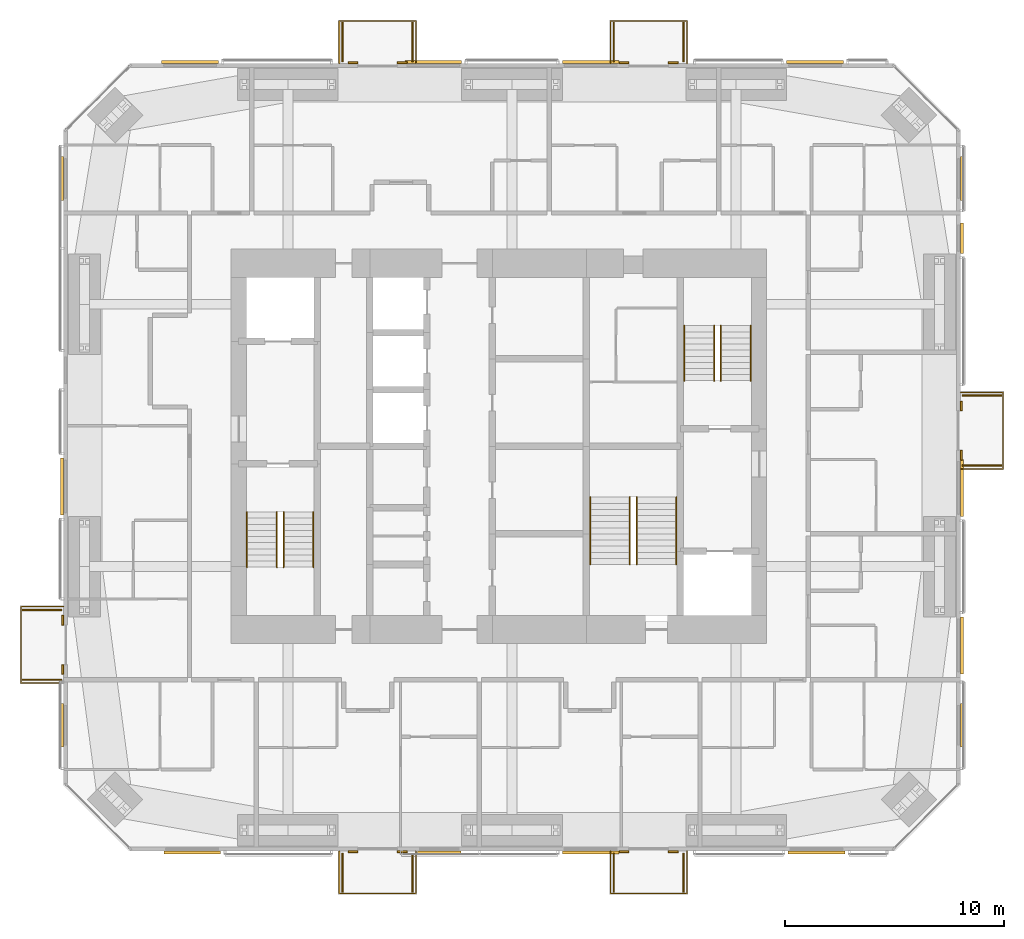
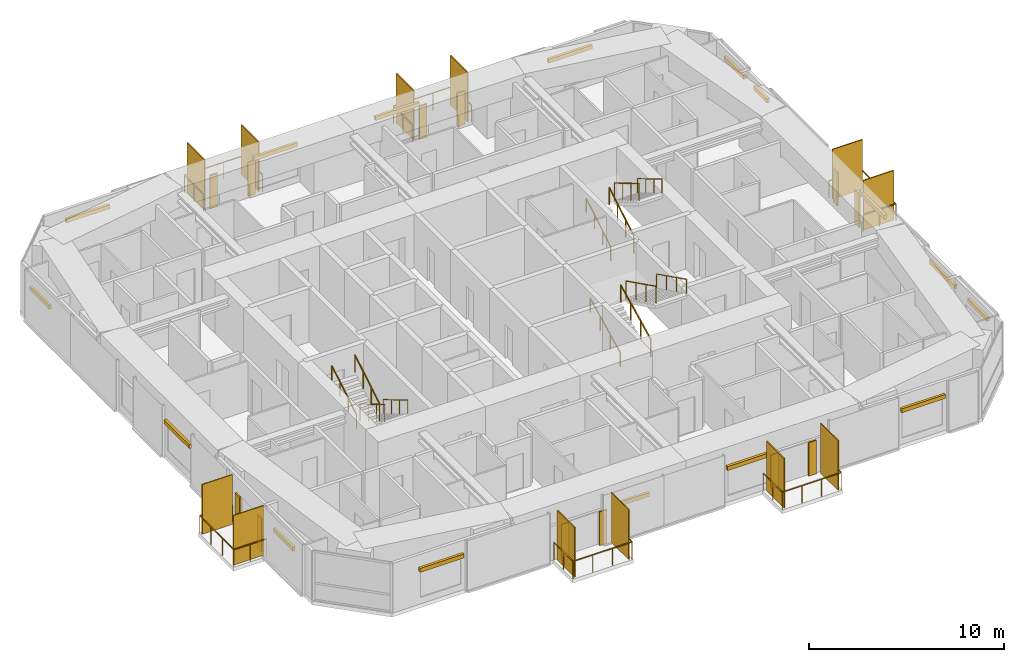
# One storey, part 22 of 22: 40 shading devices, 18 railings.
"""IFC4 building model written with IfcOpenShell, lengths in metres."""

from ifc_helpers import new_model, si_unit, direction, frame, origin, origin_2d, place, context, subcontext, project, spatial, rectangle, circle, extrude, material, layer, layer_set, constituent, constituent_set, type_object, element, save


model = new_model("IFC4")

# Units and contexts
model_context = context("Model", 3, precision=1e-05, world=origin(), true_north=direction((0.0, 1.0)))
body_context = subcontext(model_context, "Body", "Model", "MODEL_VIEW")
ifc_project = project(units=[si_unit("LENGTHUNIT", "METRE"), si_unit("AREAUNIT", "SQUARE_METRE"), si_unit("VOLUMEUNIT", "CUBIC_METRE"), si_unit("PLANEANGLEUNIT", "RADIAN"), si_unit("MASSUNIT", "GRAM", prefix="KILO")], contexts=[model_context])

# Site, building, storey
site_placement = place(None, origin())
site = spatial("IfcSite", under=ifc_project, at=site_placement, CompositionType="ELEMENT")
building_placement = place(site_placement, origin())
building = spatial("IfcBuilding", under=site, at=building_placement, Name="Jalousie Tower", CompositionType="ELEMENT")
storey_placement = place(building_placement, frame((0.0, 0.0, 161.050048828125)))
storey = spatial("IfcBuildingStorey", under=building, at=storey_placement, Name="L43", CompositionType="ELEMENT", Elevation=161.050048828125)

# Shading devices
ifc_material_1 = material(Name="Aluminium impact-rated louvred storm shutter", Category="aluminium")
shading_device_type_1 = type_object("IfcShadingDeviceType", Name="BI-FOLD STORM SHUTTER 900x2100", PredefinedType="SHUTTER", material=ifc_material_1)
for number, where, z_axis, x_axis, name in (
    (1, (25.22509765625, -0.0400390625, 0.0), (0.0, 0.0, 1.0), (1.0, 0.0, 0.0), "Balcony storm shutter L43"),
    (2, (27.47509765625, -0.0400390625, 0.0), (0.0, 0.0, 1.0), (1.0, 0.0, 0.0), "Balcony storm shutter L43"),
    (3, (37.625, -0.0400390625, 0.0), (0.0, 0.0, 1.0), (1.0, 0.0, 0.0), "Balcony storm shutter L43"),
    (4, (39.875, -0.0400390625, 0.0), (0.0, 0.0, 1.0), (1.0, 0.0, 0.0), "Balcony storm shutter L43"),
    (5, (53.0400390625, 18.10009765625, 0.0), (0.0, 0.0, 1.0), (0.0, 1.0, 0.0), "Balcony storm shutter L43"),
    (6, (53.0400390625, 20.35009765625, 0.0), (0.0, 0.0, 1.0), (0.0, 1.0, 0.0), "Balcony storm shutter L43"),
    (7, (39.875, 36.0400390625, 0.0), (0.0, 0.0, 1.0), (-1.0, 0.0, 0.0), "Balcony storm shutter L43"),
    (8, (37.625, 36.0400390625, 0.0), (0.0, 0.0, 1.0), (-1.0, 0.0, 0.0), "Balcony storm shutter L43"),
    (9, (27.47509765625, 36.0400390625, 0.0), (0.0, 0.0, 1.0), (-1.0, 0.0, 0.0), "Balcony storm shutter L43"),
    (10, (25.22509765625, 36.0400390625, 0.0), (0.0, 0.0, 1.0), (-1.0, 0.0, 0.0), "Balcony storm shutter L43"),
    (11, (11.9599609375, 10.550048828125, 0.0), (0.0, 0.0, 1.0), (0.0, -1.0, 0.0), "Balcony storm shutter L43"),
    (12, (11.9599609375, 8.300048828125, 0.0), (0.0, 0.0, 1.0), (0.0, -1.0, 0.0), "Balcony storm shutter L43"),
):
    element("IfcShadingDevice", number, at=place(storey_placement, frame(where, z_axis=z_axis, x_axis=x_axis)), inside=storey, type_object=shading_device_type_1, Name=name, PredefinedType="SHUTTER", context=body_context, shape_type="SweptSolid", body=[
        extrude(rectangle(XDim=0.449951171875, YDim=0.080078125, at=origin_2d()), origin(), (0.0, 0.0, 1.0), 2.10009765625),
    ])

# Railings
ifc_material_2 = material(Name="Powder-coated aluminium fretwork", Category="aluminium")
railing_type_1 = type_object("IfcRailingType", Name="FRETWORK BALUSTRADE 1100", PredefinedType="BALUSTRADE", material=ifc_material_2)
for number, where, name in (
    (13, (24.60009765625, 0.0, 0.0), "Balcony fretwork balustrade L43"),
    (14, (37.0, 0.0, 0.0), "Balcony fretwork balustrade L43"),
):
    element("IfcRailing", number, at=place(storey_placement, frame(where)), inside=storey, type_object=railing_type_1, Name=name, PredefinedType="BALUSTRADE", context=body_context, shape_type="SweptSolid", body=[
        extrude(rectangle(XDim=0.048095703125, YDim=0.048095703125, at=origin_2d()), frame((0.0, 0.0, 1.076171875), z_axis=(0.0, -1.0, 0.0), x_axis=(1.0, 0.0, 0.0)), (0.0, 0.0, 1.0), 1.949951171875),
        extrude(rectangle(XDim=0.048095703125, YDim=0.048095703125, at=origin_2d()), frame((0.0, -1.949951171875, 1.076171875), z_axis=(1.0, 0.0, 0.0), x_axis=(0.0, 1.0, 0.0)), (0.0, 0.0, 1.0), 3.5),
        extrude(rectangle(XDim=0.048095703125, YDim=0.048095703125, at=origin_2d()), frame((3.5, -1.949951171875, 1.076171875), z_axis=(0.0, 1.0, 0.0), x_axis=(-1.0, 0.0, 0.0)), (0.0, 0.0, 1.0), 1.949951171875),
        extrude(circle(Radius=0.02099609375, at=origin_2d()), origin(), (0.0, 0.0, 1.0), 1.052001953125),
        extrude(circle(Radius=0.02099609375, at=origin_2d()), frame((0.0, -0.97509765625, 0.0)), (0.0, 0.0, 1.0), 1.052001953125),
        extrude(circle(Radius=0.02099609375, at=origin_2d()), frame((0.0, -1.949951171875, 0.0)), (0.0, 0.0, 1.0), 1.052001953125),
        extrude(circle(Radius=0.02099609375, at=origin_2d()), frame((1.166748046875, -1.949951171875, 0.0)), (0.0, 0.0, 1.0), 1.052001953125),
        extrude(circle(Radius=0.02099609375, at=origin_2d()), frame((2.333251953125, -1.949951171875, 0.0)), (0.0, 0.0, 1.0), 1.052001953125),
        extrude(circle(Radius=0.02099609375, at=origin_2d()), frame((3.5, -1.949951171875, 0.0)), (0.0, 0.0, 1.0), 1.052001953125),
        extrude(circle(Radius=0.02099609375, at=origin_2d()), frame((3.5, -0.97509765625, 0.0)), (0.0, 0.0, 1.0), 1.052001953125),
        extrude(circle(Radius=0.02099609375, at=origin_2d()), frame((3.5, 0.0, 0.0)), (0.0, 0.0, 1.0), 1.052001953125),
    ])
railing_1_placement = place(storey_placement, frame((53.0, 17.47509765625, 0.0)))
element("IfcRailing", 15, at=railing_1_placement, inside=storey, type_object=railing_type_1, Name="Balcony fretwork balustrade L43", PredefinedType="BALUSTRADE", context=body_context, shape_type="SweptSolid", body=[
    extrude(rectangle(XDim=0.048095703125, YDim=0.048095703125, at=origin_2d()), frame((0.0, 0.0, 1.076171875), z_axis=(1.0, 0.0, 0.0), x_axis=(0.0, 1.0, 0.0)), (0.0, 0.0, 1.0), 1.949951171875),
    extrude(rectangle(XDim=0.048095703125, YDim=0.048095703125, at=origin_2d()), frame((1.949951171875, 0.0, 1.076171875), z_axis=(0.0, 1.0, 0.0), x_axis=(-1.0, 0.0, 0.0)), (0.0, 0.0, 1.0), 3.5),
    extrude(rectangle(XDim=0.048095703125, YDim=0.048095703125, at=origin_2d()), frame((1.949951171875, 3.5, 1.076171875), z_axis=(-1.0, 0.0, 0.0), x_axis=(0.0, -1.0, 0.0)), (0.0, 0.0, 1.0), 1.949951171875),
    extrude(circle(Radius=0.02099609375, at=origin_2d()), origin(), (0.0, 0.0, 1.0), 1.052001953125),
    extrude(circle(Radius=0.02099609375, at=origin_2d()), frame((0.97509765625, 0.0, 0.0)), (0.0, 0.0, 1.0), 1.052001953125),
    extrude(circle(Radius=0.02099609375, at=origin_2d()), frame((1.949951171875, 0.0, 0.0)), (0.0, 0.0, 1.0), 1.052001953125),
    extrude(circle(Radius=0.02099609375, at=origin_2d()), frame((1.949951171875, 1.166748046875, 0.0)), (0.0, 0.0, 1.0), 1.052001953125),
    extrude(circle(Radius=0.02099609375, at=origin_2d()), frame((1.949951171875, 2.333251953125, 0.0)), (0.0, 0.0, 1.0), 1.052001953125),
    extrude(circle(Radius=0.02099609375, at=origin_2d()), frame((1.949951171875, 3.5, 0.0)), (0.0, 0.0, 1.0), 1.052001953125),
    extrude(circle(Radius=0.02099609375, at=origin_2d()), frame((0.97509765625, 3.5, 0.0)), (0.0, 0.0, 1.0), 1.052001953125),
    extrude(circle(Radius=0.02099609375, at=origin_2d()), frame((0.0, 3.5, 0.0)), (0.0, 0.0, 1.0), 1.052001953125),
])
for number, where, name in (
    (16, (40.5, 36.0, 0.0), "Balcony fretwork balustrade L43"),
    (17, (28.10009765625, 36.0, 0.0), "Balcony fretwork balustrade L43"),
):
    element("IfcRailing", number, at=place(storey_placement, frame(where)), inside=storey, type_object=railing_type_1, Name=name, PredefinedType="BALUSTRADE", context=body_context, shape_type="SweptSolid", body=[
        extrude(rectangle(XDim=0.048095703125, YDim=0.048095703125, at=origin_2d()), frame((0.0, 0.0, 1.076171875), z_axis=(0.0, 1.0, 0.0), x_axis=(-1.0, 0.0, 0.0)), (0.0, 0.0, 1.0), 1.949951171875),
        extrude(rectangle(XDim=0.048095703125, YDim=0.048095703125, at=origin_2d()), frame((0.0, 1.949951171875, 1.076171875), z_axis=(-1.0, 0.0, 0.0), x_axis=(0.0, -1.0, 0.0)), (0.0, 0.0, 1.0), 3.5),
        extrude(rectangle(XDim=0.048095703125, YDim=0.048095703125, at=origin_2d()), frame((-3.5, 1.949951171875, 1.076171875), z_axis=(0.0, -1.0, 0.0), x_axis=(1.0, 0.0, 0.0)), (0.0, 0.0, 1.0), 1.949951171875),
        extrude(circle(Radius=0.02099609375, at=origin_2d()), origin(), (0.0, 0.0, 1.0), 1.052001953125),
        extrude(circle(Radius=0.02099609375, at=origin_2d()), frame((0.0, 0.97509765625, 0.0)), (0.0, 0.0, 1.0), 1.052001953125),
        extrude(circle(Radius=0.02099609375, at=origin_2d()), frame((0.0, 1.949951171875, 0.0)), (0.0, 0.0, 1.0), 1.052001953125),
        extrude(circle(Radius=0.02099609375, at=origin_2d()), frame((-1.166748046875, 1.949951171875, 0.0)), (0.0, 0.0, 1.0), 1.052001953125),
        extrude(circle(Radius=0.02099609375, at=origin_2d()), frame((-2.333251953125, 1.949951171875, 0.0)), (0.0, 0.0, 1.0), 1.052001953125),
        extrude(circle(Radius=0.02099609375, at=origin_2d()), frame((-3.5, 1.949951171875, 0.0)), (0.0, 0.0, 1.0), 1.052001953125),
        extrude(circle(Radius=0.02099609375, at=origin_2d()), frame((-3.5, 0.97509765625, 0.0)), (0.0, 0.0, 1.0), 1.052001953125),
        extrude(circle(Radius=0.02099609375, at=origin_2d()), frame((-3.5, 0.0, 0.0)), (0.0, 0.0, 1.0), 1.052001953125),
    ])
railing_2_placement = place(storey_placement, frame((12.0, 11.175048828125, 0.0)))
element("IfcRailing", 18, at=railing_2_placement, inside=storey, type_object=railing_type_1, Name="Balcony fretwork balustrade L43", PredefinedType="BALUSTRADE", context=body_context, shape_type="SweptSolid", body=[
    extrude(rectangle(XDim=0.048095703125, YDim=0.048095703125, at=origin_2d()), frame((0.0, 0.0, 1.076171875), z_axis=(-1.0, 0.0, 0.0), x_axis=(0.0, -1.0, 0.0)), (0.0, 0.0, 1.0), 1.949951171875),
    extrude(rectangle(XDim=0.048095703125, YDim=0.048095703125, at=origin_2d()), frame((-1.949951171875, 0.0, 1.076171875), z_axis=(0.0, -1.0, 0.0), x_axis=(1.0, 0.0, 0.0)), (0.0, 0.0, 1.0), 3.5),
    extrude(rectangle(XDim=0.048095703125, YDim=0.048095703125, at=origin_2d()), frame((-1.949951171875, -3.5, 1.076171875), z_axis=(1.0, 0.0, 0.0), x_axis=(0.0, 1.0, 0.0)), (0.0, 0.0, 1.0), 1.949951171875),
    extrude(circle(Radius=0.02099609375, at=origin_2d()), origin(), (0.0, 0.0, 1.0), 1.052001953125),
    extrude(circle(Radius=0.02099609375, at=origin_2d()), frame((-0.97509765625, 0.0, 0.0)), (0.0, 0.0, 1.0), 1.052001953125),
    extrude(circle(Radius=0.02099609375, at=origin_2d()), frame((-1.949951171875, 0.0, 0.0)), (0.0, 0.0, 1.0), 1.052001953125),
    extrude(circle(Radius=0.02099609375, at=origin_2d()), frame((-1.949951171875, -1.166748046875, 0.0)), (0.0, 0.0, 1.0), 1.052001953125),
    extrude(circle(Radius=0.02099609375, at=origin_2d()), frame((-1.949951171875, -2.333251953125, 0.0)), (0.0, 0.0, 1.0), 1.052001953125),
    extrude(circle(Radius=0.02099609375, at=origin_2d()), frame((-1.949951171875, -3.5, 0.0)), (0.0, 0.0, 1.0), 1.052001953125),
    extrude(circle(Radius=0.02099609375, at=origin_2d()), frame((-0.97509765625, -3.5, 0.0)), (0.0, 0.0, 1.0), 1.052001953125),
    extrude(circle(Radius=0.02099609375, at=origin_2d()), frame((0.0, -3.5, 0.0)), (0.0, 0.0, 1.0), 1.052001953125),
])

# Shading devices
ifc_material_3 = material(Name="Powder-coated aluminium louvres", Category="aluminium")
ifc_layer = layer(ifc_material_3, 0.06005859375)
ifc_layer_set = layer_set([ifc_layer], Name="Powder-coated aluminium louvres")
shading_device_type_2 = type_object("IfcShadingDeviceType", Name="JALOUSIE LOUVRE SCREEN", PredefinedType="JALOUSIE", material=ifc_layer_set)
for number, where, z_axis, x_axis, name in (
    (19, (24.75, -1.0, 0.0), (0.0, 0.0, 1.0), (1.0, 0.0, 0.0), "Jalousie louvre screen L43"),
    (20, (27.949951171875, -1.0, 0.0), (0.0, 0.0, 1.0), (1.0, 0.0, 0.0), "Jalousie louvre screen L43"),
    (21, (37.14990234375, -1.0, 0.0), (0.0, 0.0, 1.0), (1.0, 0.0, 0.0), "Jalousie louvre screen L43"),
    (22, (40.35009765625, -1.0, 0.0), (0.0, 0.0, 1.0), (1.0, 0.0, 0.0), "Jalousie louvre screen L43"),
    (23, (54.0, 17.625, 0.0), (0.0, 0.0, 1.0), (0.0, 1.0, 0.0), "Jalousie louvre screen L43"),
    (24, (54.0, 20.824951171875, 0.0), (0.0, 0.0, 1.0), (0.0, 1.0, 0.0), "Jalousie louvre screen L43"),
    (25, (40.35009765625, 37.0, 0.0), (0.0, 0.0, 1.0), (-1.0, 0.0, 0.0), "Jalousie louvre screen L43"),
    (26, (37.14990234375, 37.0, 0.0), (0.0, 0.0, 1.0), (-1.0, 0.0, 0.0), "Jalousie louvre screen L43"),
    (27, (27.949951171875, 37.0, 0.0), (0.0, 0.0, 1.0), (-1.0, 0.0, 0.0), "Jalousie louvre screen L43"),
    (28, (24.75, 37.0, 0.0), (0.0, 0.0, 1.0), (-1.0, 0.0, 0.0), "Jalousie louvre screen L43"),
    (29, (11.0, 11.02490234375, 0.0), (0.0, 0.0, 1.0), (0.0, -1.0, 0.0), "Jalousie louvre screen L43"),
    (30, (11.0, 7.824951171875, 0.0), (0.0, 0.0, 1.0), (0.0, -1.0, 0.0), "Jalousie louvre screen L43"),
):
    element("IfcShadingDevice", number, at=place(storey_placement, frame(where, z_axis=z_axis, x_axis=x_axis)), inside=storey, type_object=shading_device_type_2, Name=name, PredefinedType="JALOUSIE", context=body_context, shape_type="SweptSolid", body=[
        extrude(rectangle(XDim=0.06005859375, YDim=1.800048828125, at=origin_2d()), origin(), (0.0, 0.0, 1.0), 3.110107421875),
    ])

# Railings
ifc_material_4 = material(Name="Steel ASTM A500 Grade C", Category="steel")
ifc_constituent_1 = constituent(ifc_material_4, Name="Body")
ifc_material_5 = material(Name="Hot-dip galvanised zinc coating")
ifc_constituent_2 = constituent(ifc_material_5, Name="Finish")
ifc_constituent_set_1 = constituent_set(constituents=[ifc_constituent_1, ifc_constituent_2])
railing_type_2 = type_object("IfcRailingType", Name="STAIR GUARD 1100", PredefinedType="GUARDRAIL", material=ifc_constituent_set_1)
railing_3_placement = place(storey_placement, frame((22.054931640625, 15.49755859375, 0.16748046875)))
element("IfcRailing", 31, at=railing_3_placement, inside=storey, type_object=railing_type_2, Name="Exit stair A guard L43 flight 1", PredefinedType="GUARDRAIL", context=body_context, shape_type="SweptSolid", body=[
    extrude(rectangle(XDim=0.048095703125, YDim=0.048095703125, at=origin_2d()), frame((0.0, 0.0, 1.076171875), z_axis=(0.0, -0.858159760407, 0.513382728203), x_axis=(1.0, 0.0, 0.0)), (0.0, 0.0, 1.0), 2.9365234375),
    extrude(circle(Radius=0.02099609375, at=origin_2d()), origin(), (0.0, 0.0, 1.0), 1.052001953125),
    extrude(circle(Radius=0.02099609375, at=origin_2d()), frame((0.0, -0.840087890625, 0.50244140625)), (0.0, 0.0, 1.0), 1.052001953125),
    extrude(circle(Radius=0.02099609375, at=origin_2d()), frame((0.0, -1.679931640625, 1.005126953125)), (0.0, 0.0, 1.0), 1.052001953125),
    extrude(circle(Radius=0.02099609375, at=origin_2d()), frame((0.0, -2.52001953125, 1.507568359375)), (0.0, 0.0, 1.0), 1.052001953125),
])
railing_4_placement = place(storey_placement, frame((21.7451171875, 12.9775390625, 1.842529296875)))
element("IfcRailing", 32, at=railing_4_placement, inside=storey, type_object=railing_type_2, Name="Exit stair A guard L43 flight 2", PredefinedType="GUARDRAIL", context=body_context, shape_type="SweptSolid", body=[
    extrude(rectangle(XDim=0.048095703125, YDim=0.048095703125, at=origin_2d()), frame((0.0, 0.0, 1.076171875), z_axis=(0.0, 0.858196387827, 0.513321497621), x_axis=(-1.0, 0.0, 0.0)), (0.0, 0.0, 1.0), 2.9365234375),
    extrude(circle(Radius=0.02099609375, at=origin_2d()), origin(), (0.0, 0.0, 1.0), 1.052001953125),
    extrude(circle(Radius=0.02099609375, at=origin_2d()), frame((0.0, 0.840087890625, 0.50244140625)), (0.0, 0.0, 1.0), 1.052001953125),
    extrude(circle(Radius=0.02099609375, at=origin_2d()), frame((0.0, 1.679931640625, 1.0048828125)), (0.0, 0.0, 1.0), 1.052001953125),
    extrude(circle(Radius=0.02099609375, at=origin_2d()), frame((0.0, 2.52001953125, 1.50732421875)), (0.0, 0.0, 1.0), 1.052001953125),
])
railing_5_placement = place(storey_placement, frame((41.7451171875, 21.50244140625, 0.16748046875)))
element("IfcRailing", 33, at=railing_5_placement, inside=storey, type_object=railing_type_2, Name="Exit stair B guard L43 flight 1", PredefinedType="GUARDRAIL", context=body_context, shape_type="SweptSolid", body=[
    extrude(rectangle(XDim=0.048095703125, YDim=0.048095703125, at=origin_2d()), frame((0.0, 0.0, 1.076171875), z_axis=(0.0, 0.858159760407, 0.513382728203), x_axis=(-1.0, 0.0, 0.0)), (0.0, 0.0, 1.0), 2.9365234375),
    extrude(circle(Radius=0.02099609375, at=origin_2d()), origin(), (0.0, 0.0, 1.0), 1.052001953125),
    extrude(circle(Radius=0.02099609375, at=origin_2d()), frame((0.0, 0.840087890625, 0.50244140625)), (0.0, 0.0, 1.0), 1.052001953125),
    extrude(circle(Radius=0.02099609375, at=origin_2d()), frame((0.0, 1.679931640625, 1.005126953125)), (0.0, 0.0, 1.0), 1.052001953125),
    extrude(circle(Radius=0.02099609375, at=origin_2d()), frame((0.0, 2.52001953125, 1.507568359375)), (0.0, 0.0, 1.0), 1.052001953125),
])
railing_6_placement = place(storey_placement, frame((42.054931640625, 24.0224609375, 1.842529296875)))
element("IfcRailing", 34, at=railing_6_placement, inside=storey, type_object=railing_type_2, Name="Exit stair B guard L43 flight 2", PredefinedType="GUARDRAIL", context=body_context, shape_type="SweptSolid", body=[
    extrude(rectangle(XDim=0.048095703125, YDim=0.048095703125, at=origin_2d()), frame((0.0, 0.0, 1.076171875), z_axis=(0.0, -0.858196387827, 0.513321497621), x_axis=(1.0, 0.0, 0.0)), (0.0, 0.0, 1.0), 2.9365234375),
    extrude(circle(Radius=0.02099609375, at=origin_2d()), origin(), (0.0, 0.0, 1.0), 1.052001953125),
    extrude(circle(Radius=0.02099609375, at=origin_2d()), frame((0.0, -0.840087890625, 0.50244140625)), (0.0, 0.0, 1.0), 1.052001953125),
    extrude(circle(Radius=0.02099609375, at=origin_2d()), frame((0.0, -1.679931640625, 1.0048828125)), (0.0, 0.0, 1.0), 1.052001953125),
    extrude(circle(Radius=0.02099609375, at=origin_2d()), frame((0.0, -2.52001953125, 1.50732421875)), (0.0, 0.0, 1.0), 1.052001953125),
])
railing_7_placement = place(storey_placement, frame((37.89501953125, 13.097412109375, 0.1396484375)))
element("IfcRailing", 35, at=railing_7_placement, inside=storey, type_object=railing_type_2, Name="Exit stair C guard L43 flight 1", PredefinedType="GUARDRAIL", context=body_context, shape_type="SweptSolid", body=[
    extrude(rectangle(XDim=0.048095703125, YDim=0.048095703125, at=origin_2d()), frame((0.0, 0.0, 1.076171875), z_axis=(0.0, 0.894965676997, 0.446134998624), x_axis=(-1.0, 0.0, 0.0)), (0.0, 0.0, 1.0), 3.441650390625),
    extrude(circle(Radius=0.02099609375, at=origin_2d()), origin(), (0.0, 0.0, 1.0), 1.052001953125),
    extrude(circle(Radius=0.02099609375, at=origin_2d()), frame((0.0, 1.026611328125, 0.51171875)), (0.0, 0.0, 1.0), 1.052001953125),
    extrude(circle(Radius=0.02099609375, at=origin_2d()), frame((0.0, 2.053466796875, 1.023681640625)), (0.0, 0.0, 1.0), 1.052001953125),
    extrude(circle(Radius=0.02099609375, at=origin_2d()), frame((0.0, 3.080078125, 1.535400390625)), (0.0, 0.0, 1.0), 1.052001953125),
])
railing_8_placement = place(storey_placement, frame((38.205078125, 16.177490234375, 1.814453125)))
element("IfcRailing", 36, at=railing_8_placement, inside=storey, type_object=railing_type_2, Name="Exit stair C guard L43 flight 2", PredefinedType="GUARDRAIL", context=body_context, shape_type="SweptSolid", body=[
    extrude(rectangle(XDim=0.048095703125, YDim=0.048095703125, at=origin_2d()), frame((0.0, 0.0, 1.076171875), z_axis=(0.0, -0.894965676997, 0.446134998624), x_axis=(1.0, 0.0, 0.0)), (0.0, 0.0, 1.0), 3.441650390625),
    extrude(circle(Radius=0.02099609375, at=origin_2d()), origin(), (0.0, 0.0, 1.0), 1.052001953125),
    extrude(circle(Radius=0.02099609375, at=origin_2d()), frame((0.0, -1.026611328125, 0.51171875)), (0.0, 0.0, 1.0), 1.052001953125),
    extrude(circle(Radius=0.02099609375, at=origin_2d()), frame((0.0, -2.053466796875, 1.023681640625)), (0.0, 0.0, 1.0), 1.052001953125),
    extrude(circle(Radius=0.02099609375, at=origin_2d()), frame((0.0, -3.080078125, 1.535400390625)), (0.0, 0.0, 1.0), 1.052001953125),
])
ifc_material_6 = material(Name="Steel ASTM A500 Grade C", Category="steel")
ifc_constituent_3 = constituent(ifc_material_6, Name="Body")
ifc_material_7 = material(Name="Hot-dip galvanised zinc coating")
ifc_constituent_4 = constituent(ifc_material_7, Name="Finish")
ifc_constituent_set_2 = constituent_set(constituents=[ifc_constituent_3, ifc_constituent_4])
railing_type_3 = type_object("IfcRailingType", Name="STAIR HANDRAIL 900", PredefinedType="HANDRAIL", material=ifc_constituent_set_2)
railing_9_placement = place(storey_placement, frame((23.419921875, 15.49755859375, 0.16748046875)))
element("IfcRailing", 37, at=railing_9_placement, inside=storey, type_object=railing_type_3, Name="Exit stair A handrail L43 flight 1", PredefinedType="HANDRAIL", context=body_context, shape_type="SweptSolid", body=[
    extrude(circle(Radius=0.02392578125, at=origin_2d()), frame((0.0, 0.0, 0.8759765625), z_axis=(0.0, -0.858159760407, 0.513382728203), x_axis=(1.0, 0.0, 0.0)), (0.0, 0.0, 1.0), 2.9365234375),
    extrude(circle(Radius=0.02099609375, at=origin_2d()), origin(), (0.0, 0.0, 1.0), 0.851806640625),
    extrude(circle(Radius=0.02099609375, at=origin_2d()), frame((0.0, -0.840087890625, 0.50244140625)), (0.0, 0.0, 1.0), 0.851806640625),
    extrude(circle(Radius=0.02099609375, at=origin_2d()), frame((0.0, -1.679931640625, 1.005126953125)), (0.0, 0.0, 1.0), 0.851806640625),
    extrude(circle(Radius=0.02099609375, at=origin_2d()), frame((0.0, -2.52001953125, 1.507568359375)), (0.0, 0.0, 1.0), 0.851806640625),
])
railing_10_placement = place(storey_placement, frame((20.3798828125, 12.9775390625, 1.842529296875)))
element("IfcRailing", 38, at=railing_10_placement, inside=storey, type_object=railing_type_3, Name="Exit stair A handrail L43 flight 2", PredefinedType="HANDRAIL", context=body_context, shape_type="SweptSolid", body=[
    extrude(circle(Radius=0.02392578125, at=origin_2d()), frame((0.0, 0.0, 0.8759765625), z_axis=(0.0, 0.858196387827, 0.513321497621), x_axis=(-1.0, 0.0, 0.0)), (0.0, 0.0, 1.0), 2.9365234375),
    extrude(circle(Radius=0.02099609375, at=origin_2d()), origin(), (0.0, 0.0, 1.0), 0.851806640625),
    extrude(circle(Radius=0.02099609375, at=origin_2d()), frame((0.0, 0.840087890625, 0.50244140625)), (0.0, 0.0, 1.0), 0.851806640625),
    extrude(circle(Radius=0.02099609375, at=origin_2d()), frame((0.0, 1.679931640625, 1.0048828125)), (0.0, 0.0, 1.0), 0.851806640625),
    extrude(circle(Radius=0.02099609375, at=origin_2d()), frame((0.0, 2.52001953125, 1.50732421875)), (0.0, 0.0, 1.0), 0.851806640625),
])
railing_11_placement = place(storey_placement, frame((40.3798828125, 21.50244140625, 0.16748046875)))
element("IfcRailing", 39, at=railing_11_placement, inside=storey, type_object=railing_type_3, Name="Exit stair B handrail L43 flight 1", PredefinedType="HANDRAIL", context=body_context, shape_type="SweptSolid", body=[
    extrude(circle(Radius=0.02392578125, at=origin_2d()), frame((0.0, 0.0, 0.8759765625), z_axis=(0.0, 0.858159760407, 0.513382728203), x_axis=(-1.0, 0.0, 0.0)), (0.0, 0.0, 1.0), 2.9365234375),
    extrude(circle(Radius=0.02099609375, at=origin_2d()), origin(), (0.0, 0.0, 1.0), 0.851806640625),
    extrude(circle(Radius=0.02099609375, at=origin_2d()), frame((0.0, 0.840087890625, 0.50244140625)), (0.0, 0.0, 1.0), 0.851806640625),
    extrude(circle(Radius=0.02099609375, at=origin_2d()), frame((0.0, 1.679931640625, 1.005126953125)), (0.0, 0.0, 1.0), 0.851806640625),
    extrude(circle(Radius=0.02099609375, at=origin_2d()), frame((0.0, 2.52001953125, 1.507568359375)), (0.0, 0.0, 1.0), 0.851806640625),
])
railing_12_placement = place(storey_placement, frame((43.419921875, 24.0224609375, 1.842529296875)))
element("IfcRailing", 40, at=railing_12_placement, inside=storey, type_object=railing_type_3, Name="Exit stair B handrail L43 flight 2", PredefinedType="HANDRAIL", context=body_context, shape_type="SweptSolid", body=[
    extrude(circle(Radius=0.02392578125, at=origin_2d()), frame((0.0, 0.0, 0.8759765625), z_axis=(0.0, -0.858196387827, 0.513321497621), x_axis=(1.0, 0.0, 0.0)), (0.0, 0.0, 1.0), 2.9365234375),
    extrude(circle(Radius=0.02099609375, at=origin_2d()), origin(), (0.0, 0.0, 1.0), 0.851806640625),
    extrude(circle(Radius=0.02099609375, at=origin_2d()), frame((0.0, -0.840087890625, 0.50244140625)), (0.0, 0.0, 1.0), 0.851806640625),
    extrude(circle(Radius=0.02099609375, at=origin_2d()), frame((0.0, -1.679931640625, 1.0048828125)), (0.0, 0.0, 1.0), 0.851806640625),
    extrude(circle(Radius=0.02099609375, at=origin_2d()), frame((0.0, -2.52001953125, 1.50732421875)), (0.0, 0.0, 1.0), 0.851806640625),
])
railing_13_placement = place(storey_placement, frame((36.080078125, 13.097412109375, 0.1396484375)))
element("IfcRailing", 41, at=railing_13_placement, inside=storey, type_object=railing_type_3, Name="Exit stair C handrail L43 flight 1", PredefinedType="HANDRAIL", context=body_context, shape_type="SweptSolid", body=[
    extrude(circle(Radius=0.02392578125, at=origin_2d()), frame((0.0, 0.0, 0.8759765625), z_axis=(0.0, 0.894965676997, 0.446134998624), x_axis=(-1.0, 0.0, 0.0)), (0.0, 0.0, 1.0), 3.441650390625),
    extrude(circle(Radius=0.02099609375, at=origin_2d()), origin(), (0.0, 0.0, 1.0), 0.851806640625),
    extrude(circle(Radius=0.02099609375, at=origin_2d()), frame((0.0, 1.026611328125, 0.51171875)), (0.0, 0.0, 1.0), 0.851806640625),
    extrude(circle(Radius=0.02099609375, at=origin_2d()), frame((0.0, 2.053466796875, 1.023681640625)), (0.0, 0.0, 1.0), 0.851806640625),
    extrude(circle(Radius=0.02099609375, at=origin_2d()), frame((0.0, 3.080078125, 1.535400390625)), (0.0, 0.0, 1.0), 0.851806640625),
])
railing_14_placement = place(storey_placement, frame((40.02001953125, 16.177490234375, 1.814453125)))
element("IfcRailing", 42, at=railing_14_placement, inside=storey, type_object=railing_type_3, Name="Exit stair C handrail L43 flight 2", PredefinedType="HANDRAIL", context=body_context, shape_type="SweptSolid", body=[
    extrude(circle(Radius=0.02392578125, at=origin_2d()), frame((0.0, 0.0, 0.8759765625), z_axis=(0.0, -0.894965676997, 0.446134998624), x_axis=(1.0, 0.0, 0.0)), (0.0, 0.0, 1.0), 3.441650390625),
    extrude(circle(Radius=0.02099609375, at=origin_2d()), origin(), (0.0, 0.0, 1.0), 0.851806640625),
    extrude(circle(Radius=0.02099609375, at=origin_2d()), frame((0.0, -1.026611328125, 0.51171875)), (0.0, 0.0, 1.0), 0.851806640625),
    extrude(circle(Radius=0.02099609375, at=origin_2d()), frame((0.0, -2.053466796875, 1.023681640625)), (0.0, 0.0, 1.0), 0.851806640625),
    extrude(circle(Radius=0.02099609375, at=origin_2d()), frame((0.0, -3.080078125, 1.535400390625)), (0.0, 0.0, 1.0), 0.851806640625),
])

# Shading devices
ifc_material_8 = material(Name="Aluminium roller storm shutter", Category="aluminium")
shading_device_type_3 = type_object("IfcShadingDeviceType", Name="STORM SHUTTER HOUSING", PredefinedType="SHUTTER", material=ifc_material_8)
shading_device_1_placement = place(storey_placement, frame((17.87548828125, -0.074951171875, 2.099853515625), z_axis=(0.0, 0.0, 1.0), x_axis=(1.0, 0.0, 0.0)))
element("IfcShadingDevice", 43, at=shading_device_1_placement, inside=storey, type_object=shading_device_type_3, Name="Storm shutter L43", PredefinedType="SHUTTER", context=body_context, shape_type="SweptSolid", body=[
    extrude(rectangle(XDim=2.60009765625, YDim=0.14990234375, at=origin_2d()), origin(), (0.0, 0.0, 1.0), 0.25),
])
shading_device_2_placement = place(storey_placement, frame((29.175048828125, -0.074951171875, 2.099853515625), z_axis=(0.0, 0.0, 1.0), x_axis=(1.0, 0.0, 0.0)))
element("IfcShadingDevice", 44, at=shading_device_2_placement, inside=storey, type_object=shading_device_type_3, Name="Storm shutter L43", PredefinedType="SHUTTER", context=body_context, shape_type="SweptSolid", body=[
    extrude(rectangle(XDim=2.0, YDim=0.14990234375, at=origin_2d()), origin(), (0.0, 0.0, 1.0), 0.25),
])
for number, where, z_axis, x_axis, name in (
    (45, (36.10009765625, -0.074951171875, 2.099853515625), (0.0, 0.0, 1.0), (1.0, 0.0, 0.0), "Storm shutter L43"),
    (46, (46.421630859375, -0.074951171875, 2.099853515625), (0.0, 0.0, 1.0), (1.0, 0.0, 0.0), "Storm shutter L43"),
):
    element("IfcShadingDevice", number, at=place(storey_placement, frame(where, z_axis=z_axis, x_axis=x_axis)), inside=storey, type_object=shading_device_type_3, Name=name, PredefinedType="SHUTTER", context=body_context, shape_type="SweptSolid", body=[
        extrude(rectangle(XDim=2.60009765625, YDim=0.14990234375, at=origin_2d()), origin(), (0.0, 0.0, 1.0), 0.25),
    ])
shading_device_3_placement = place(storey_placement, frame((53.074951171875, 5.748046875, 2.099853515625), z_axis=(0.0, 0.0, 1.0), x_axis=(0.0, 1.0, 0.0)))
element("IfcShadingDevice", 47, at=shading_device_3_placement, inside=storey, type_object=shading_device_type_3, Name="Storm shutter L43", PredefinedType="SHUTTER", context=body_context, shape_type="SweptSolid", body=[
    extrude(rectangle(XDim=2.0, YDim=0.14990234375, at=origin_2d()), origin(), (0.0, 0.0, 1.0), 0.25),
])
for number, where, z_axis, x_axis, name in (
    (48, (53.074951171875, 9.39990234375, 2.099853515625), (0.0, 0.0, 1.0), (0.0, 1.0, 0.0), "Storm shutter L43"),
    (49, (53.074951171875, 16.60009765625, 2.099853515625), (0.0, 0.0, 1.0), (0.0, 1.0, 0.0), "Storm shutter L43"),
):
    element("IfcShadingDevice", number, at=place(storey_placement, frame(where, z_axis=z_axis, x_axis=x_axis)), inside=storey, type_object=shading_device_type_3, Name=name, PredefinedType="SHUTTER", context=body_context, shape_type="SweptSolid", body=[
        extrude(rectangle(XDim=2.60009765625, YDim=0.14990234375, at=origin_2d()), origin(), (0.0, 0.0, 1.0), 0.25),
    ])
shading_device_4_placement = place(storey_placement, frame((53.074951171875, 28.0244140625, 2.099853515625), z_axis=(0.0, 0.0, 1.0), x_axis=(0.0, 1.0, 0.0)))
element("IfcShadingDevice", 50, at=shading_device_4_placement, inside=storey, type_object=shading_device_type_3, Name="Storm shutter L43", PredefinedType="SHUTTER", context=body_context, shape_type="SweptSolid", body=[
    extrude(rectangle(XDim=1.39990234375, YDim=0.14990234375, at=origin_2d()), origin(), (0.0, 0.0, 1.0), 0.25),
])
shading_device_5_placement = place(storey_placement, frame((53.074951171875, 30.751708984375, 2.099853515625), z_axis=(0.0, 0.0, 1.0), x_axis=(0.0, 1.0, 0.0)))
element("IfcShadingDevice", 51, at=shading_device_5_placement, inside=storey, type_object=shading_device_type_3, Name="Storm shutter L43", PredefinedType="SHUTTER", context=body_context, shape_type="SweptSolid", body=[
    extrude(rectangle(XDim=2.0, YDim=0.14990234375, at=origin_2d()), origin(), (0.0, 0.0, 1.0), 0.25),
])
for number, where, z_axis, x_axis, name in (
    (52, (46.359375, 36.074951171875, 2.099853515625), (0.0, 0.0, 1.0), (-1.0, 0.0, 0.0), "Storm shutter L43"),
    (53, (36.10009765625, 36.074951171875, 2.099853515625), (0.0, 0.0, 1.0), (-1.0, 0.0, 0.0), "Storm shutter L43"),
    (54, (28.89990234375, 36.074951171875, 2.099853515625), (0.0, 0.0, 1.0), (-1.0, 0.0, 0.0), "Storm shutter L43"),
    (55, (17.775634765625, 36.074951171875, 2.099853515625), (0.0, 0.0, 1.0), (-1.0, 0.0, 0.0), "Storm shutter L43"),
):
    element("IfcShadingDevice", number, at=place(storey_placement, frame(where, z_axis=z_axis, x_axis=x_axis)), inside=storey, type_object=shading_device_type_3, Name=name, PredefinedType="SHUTTER", context=body_context, shape_type="SweptSolid", body=[
        extrude(rectangle(XDim=2.60009765625, YDim=0.14990234375, at=origin_2d()), origin(), (0.0, 0.0, 1.0), 0.25),
    ])
shading_device_6_placement = place(storey_placement, frame((11.925048828125, 30.751953125, 2.099853515625), z_axis=(0.0, 0.0, 1.0), x_axis=(0.0, -1.0, 0.0)))
element("IfcShadingDevice", 56, at=shading_device_6_placement, inside=storey, type_object=shading_device_type_3, Name="Storm shutter L43", PredefinedType="SHUTTER", context=body_context, shape_type="SweptSolid", body=[
    extrude(rectangle(XDim=2.0, YDim=0.14990234375, at=origin_2d()), origin(), (0.0, 0.0, 1.0), 0.25),
])
shading_device_7_placement = place(storey_placement, frame((11.925048828125, 16.666015625, 2.099853515625), z_axis=(0.0, 0.0, 1.0), x_axis=(0.0, -1.0, 0.0)))
element("IfcShadingDevice", 57, at=shading_device_7_placement, inside=storey, type_object=shading_device_type_3, Name="Storm shutter L43", PredefinedType="SHUTTER", context=body_context, shape_type="SweptSolid", body=[
    extrude(rectangle(XDim=2.60009765625, YDim=0.14990234375, at=origin_2d()), origin(), (0.0, 0.0, 1.0), 0.25),
])
shading_device_8_placement = place(storey_placement, frame((11.925048828125, 5.748291015625, 2.099853515625), z_axis=(0.0, 0.0, 1.0), x_axis=(0.0, -1.0, 0.0)))
element("IfcShadingDevice", 58, at=shading_device_8_placement, inside=storey, type_object=shading_device_type_3, Name="Storm shutter L43", PredefinedType="SHUTTER", context=body_context, shape_type="SweptSolid", body=[
    extrude(rectangle(XDim=2.0, YDim=0.14990234375, at=origin_2d()), origin(), (0.0, 0.0, 1.0), 0.25),
])

save(model, "model.ifc")
